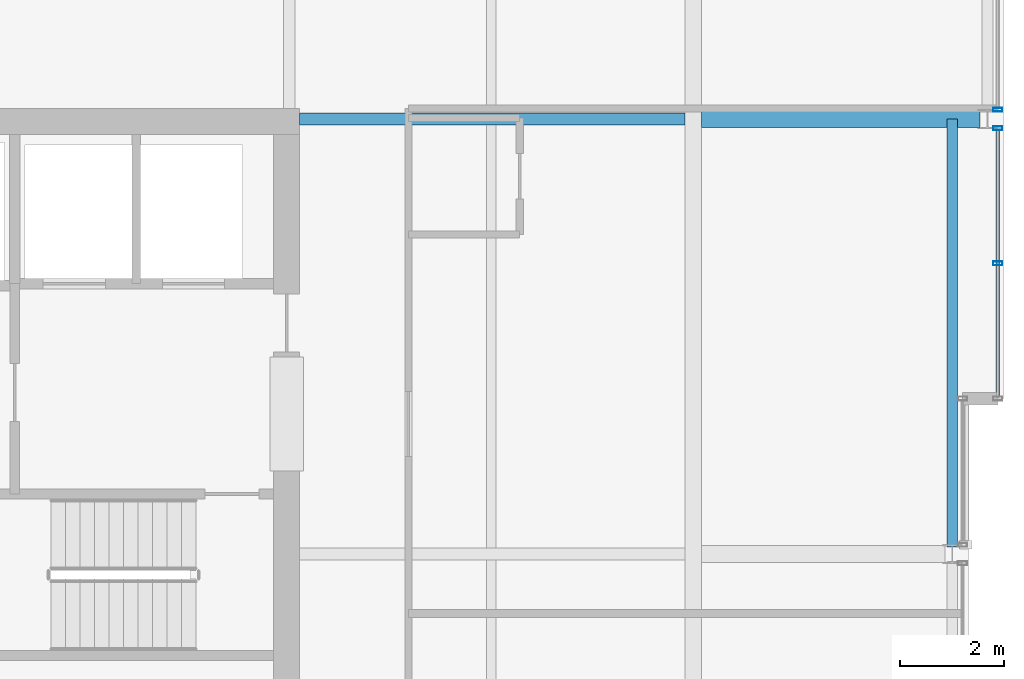
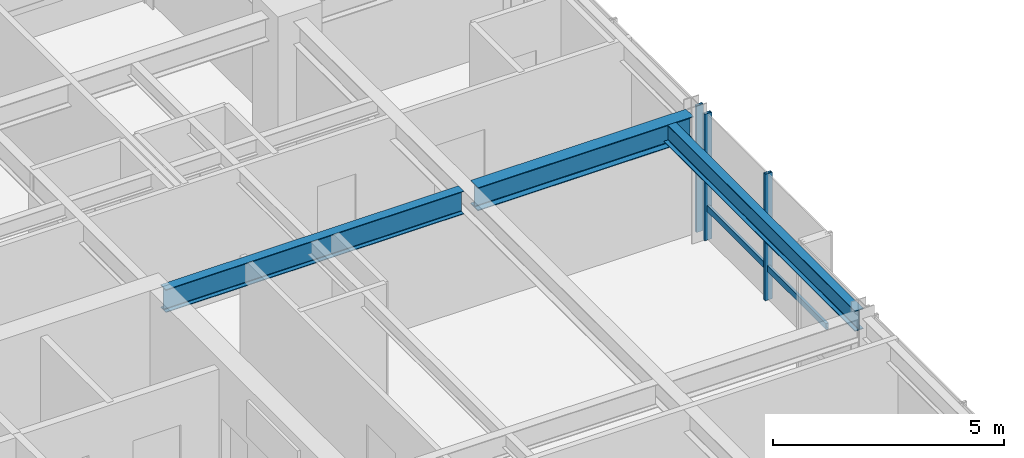
# One storey, part 22 of 32: 4 members, 3 beams, 2 elements without a shape of their own.
"""IFC4 building model written with IfcOpenShell, lengths in metres."""

from ifc_helpers import new_model, si_unit, direction, frame, origin, origin_2d, place, context, subcontext, project, spatial, hollow_rectangle, i_section, extrude, material, layer, layer_set, material_profile, profile_set, type_object, element, aggregate, save


model = new_model("IFC4")

# Units and contexts
model_context = context("Model", 3, precision=1e-05, world=origin(), true_north=direction((0.0, 1.0)))
body_context = subcontext(model_context, "Body", "Model", "MODEL_VIEW")
ifc_project = project(units=[si_unit("LENGTHUNIT", "METRE"), si_unit("AREAUNIT", "SQUARE_METRE"), si_unit("VOLUMEUNIT", "CUBIC_METRE"), si_unit("PLANEANGLEUNIT", "RADIAN"), si_unit("MASSUNIT", "GRAM", prefix="KILO")], contexts=[model_context])

# Site, building, storey
site_placement = place(None, origin())
site = spatial("IfcSite", under=ifc_project, at=site_placement, CompositionType="ELEMENT")
building_placement = place(site_placement, origin())
building = spatial("IfcBuilding", under=site, at=building_placement, Name="Drelvath Grand Hotel", CompositionType="ELEMENT")
storey_placement = place(building_placement, frame((0.0, 0.0, 241.10009765625)))
storey = spatial("IfcBuildingStorey", under=building, at=storey_placement, Name="L63", CompositionType="ELEMENT", Elevation=241.10009765625)

# Curtain wall, members
ifc_material_1 = material(Name="Platinum-Mist Anodised Aluminium Frame", Category="aluminium")
ifc_layer = layer(ifc_material_1, 0.199951171875)
ifc_layer_set = layer_set([ifc_layer], Name="Platinum-Mist Anodised Aluminium Frame")
curtain_wall_type = type_object("IfcCurtainWallType", Name="Stick Curtain Wall CW-05 Platinum Mist High-Rise", PredefinedType="NOTDEFINED", material=ifc_layer_set)
curtain_wall_1_placement = place(storey_placement, origin())
curtain_wall_1 = element("IfcCurtainWall", 1, at=curtain_wall_1_placement, inside=storey, type_object=curtain_wall_type, Name="L63 CW-05 Curtain Wall CW05-L63-EN1", PredefinedType="NOTDEFINED")
ifc_material_profile_1 = material_profile(ifc_material_1, hollow_rectangle(XDim=0.06494140625, YDim=0.159912109375, WallThickness=0.00390625, at=origin_2d()), Name="HSS160X65X4")
ifc_profile_set_1 = profile_set([ifc_material_profile_1], Name="Platinum-Mist Anodised Aluminium Frame")
member_type_1 = type_object("IfcMemberType", Name="Curtain Wall Horizontal Transom CW-05 HSS160X65X4", PredefinedType="USERDEFINED", material=ifc_profile_set_1)
member_1_placement = place(storey_placement, frame((22.080078125, 35.181884765625, 0.8349609375), z_axis=(0.0, -1.0, 0.0), x_axis=(1.0, 0.0, 0.0)))
member_1 = element("IfcMember", 2, at=member_1_placement, type_object=member_type_1, Name="CW05-L63-EN1 Sill Transom", ObjectType="TRANSOM", PredefinedType="USERDEFINED", context=body_context, shape_type="SweptSolid", body=[
    extrude(hollow_rectangle(XDim=0.06494140625, YDim=0.159912109375, WallThickness=0.00390625, at=origin_2d()), origin(), (0.0, 0.0, 1.0), 5.141845703125),
])
ifc_material_profile_2 = material_profile(ifc_material_1, hollow_rectangle(XDim=0.074951171875, YDim=0.179931640625, WallThickness=0.0048828125, at=origin_2d()), Name="HSS180X75X5")
ifc_profile_set_2 = profile_set([ifc_material_profile_2], Name="Platinum-Mist Anodised Aluminium Frame")
member_type_2 = type_object("IfcMemberType", Name="Curtain Wall Vertical Mullion CW-05 HSS180X75X5", PredefinedType="MULLION", material=ifc_profile_set_2)
member_2_placement = place(storey_placement, frame((22.080078125, 35.2216796875, 0.0), z_axis=(0.0, 0.0, 1.0), x_axis=(0.0, 1.0, 0.0)))
member_2 = element("IfcMember", 3, at=member_2_placement, type_object=member_type_2, Name="CW05-L63-EN1 Mullion 1", PredefinedType="MULLION", context=body_context, shape_type="SweptSolid", body=[
    extrude(hollow_rectangle(XDim=0.074951171875, YDim=0.179931640625, WallThickness=0.0048828125, at=origin_2d()), origin(), (0.0, 0.0, 1.0), 3.33984375),
])
member_3_placement = place(storey_placement, frame((22.080078125, 32.61083984375, 0.0), z_axis=(0.0, 0.0, 1.0), x_axis=(0.0, 1.0, 0.0)))
member_3 = element("IfcMember", 4, at=member_3_placement, type_object=member_type_2, Name="CW05-L63-EN1 Mullion 2", PredefinedType="MULLION", context=body_context, shape_type="SweptSolid", body=[
    extrude(hollow_rectangle(XDim=0.074951171875, YDim=0.179931640625, WallThickness=0.0048828125, at=origin_2d()), origin(), (0.0, 0.0, 1.0), 3.33984375),
])
aggregate(curtain_wall_1, [member_2, member_3, member_1])

# Curtain wall, member
curtain_wall_2_placement = place(storey_placement, origin())
curtain_wall_2 = element("IfcCurtainWall", 5, at=curtain_wall_2_placement, inside=storey, type_object=curtain_wall_type, Name="L63 CW-05 Curtain Wall CW05-L63-EN2", PredefinedType="NOTDEFINED")
member_4_placement = place(storey_placement, frame((22.080078125, 35.578125, 0.0), z_axis=(0.0, 0.0, 1.0), x_axis=(0.0, 1.0, 0.0)))
member_4 = element("IfcMember", 6, at=member_4_placement, type_object=member_type_2, Name="CW05-L63-EN2 Mullion 3", PredefinedType="MULLION", context=body_context, shape_type="SweptSolid", body=[
    extrude(hollow_rectangle(XDim=0.074951171875, YDim=0.179931640625, WallThickness=0.0048828125, at=origin_2d()), origin(), (0.0, 0.0, 1.0), 3.33984375),
])
aggregate(curtain_wall_2, [member_4])

# Beams
ifc_material_2 = material(Name="Steel ASTM A992 Gr 50", Category="steel")
ifc_material_profile_3 = material_profile(ifc_material_2, i_section(OverallWidth=0.210205078125, OverallDepth=0.53662109375, WebThickness=0.010986328125, FlangeThickness=0.017333984375, FilletRadius=0.01806640625, at=origin_2d()), Name="W21X68")
ifc_profile_set_3 = profile_set([ifc_material_profile_3], Name="Steel ASTM A992 Gr 50")
beam_type_1 = type_object("IfcBeamType", Name="Perimeter Spandrel Beam W21X68", PredefinedType="SPANDREL", material=ifc_profile_set_3)
beam_1_placement = place(storey_placement, frame((21.199951171875, 27.139892578125, 3.071533203125), z_axis=(0.0, 1.0, 0.0), x_axis=(-1.0, 0.0, 0.0)))
element("IfcBeam", 7, at=beam_1_placement, inside=storey, type_object=beam_type_1, Name="L63 Spandrel East Mid N", PredefinedType="SPANDREL", context=body_context, shape_type="SweptSolid", body=[
    extrude(i_section(OverallWidth=0.210205078125, OverallDepth=0.53662109375, WebThickness=0.010986328125, FlangeThickness=0.017333984375, FilletRadius=0.01806640625, at=origin_2d()), origin(), (0.0, 0.0, 1.0), 8.260009765625),
])
ifc_material_profile_4 = material_profile(ifc_material_2, i_section(OverallWidth=0.323974609375, OverallDepth=0.611083984375, WebThickness=0.0126953125, FlangeThickness=0.01904296875, FilletRadius=0.02197265625, at=origin_2d()), Name="W24X104")
ifc_profile_set_4 = profile_set([ifc_material_profile_4], Name="Steel ASTM A992 Gr 50")
beam_type_2 = type_object("IfcBeamType", Name="Primary Floor Girder W24X104", PredefinedType="BEAM", material=ifc_profile_set_4)
beam_2_placement = place(storey_placement, frame((16.362060546875, 35.39990234375, 3.034423828125), z_axis=(1.0, 0.0, 0.0), x_axis=(0.0, 1.0, 0.0)))
element("IfcBeam", 8, at=beam_2_placement, inside=storey, type_object=beam_type_2, Name="L63 East Wing Girder F", PredefinedType="BEAM", context=body_context, shape_type="SweptSolid", body=[
    extrude(i_section(OverallWidth=0.323974609375, OverallDepth=0.611083984375, WebThickness=0.0126953125, FlangeThickness=0.01904296875, FilletRadius=0.02197265625, at=origin_2d()), origin(), (0.0, 0.0, 1.0), 5.3779296875),
])
ifc_material_profile_5 = material_profile(ifc_material_2, i_section(OverallWidth=0.228271484375, OverallDepth=0.607666015625, WebThickness=0.01123046875, FlangeThickness=0.017333984375, FilletRadius=0.02001953125, at=origin_2d()), Name="W24X76")
ifc_profile_set_5 = profile_set([ifc_material_profile_5], Name="Steel ASTM A992 Gr 50")
beam_type_3 = type_object("IfcBeamType", Name="Primary Floor Girder W24X76", PredefinedType="BEAM", material=ifc_profile_set_5)
beam_3_placement = place(storey_placement, frame((8.60009765625, 35.39990234375, 3.0361328125), z_axis=(1.0, 0.0, 0.0), x_axis=(0.0, 1.0, 0.0)))
element("IfcBeam", 9, at=beam_3_placement, inside=storey, type_object=beam_type_3, Name="L63 East Core Tie F", PredefinedType="BEAM", context=body_context, shape_type="SweptSolid", body=[
    extrude(i_section(OverallWidth=0.228271484375, OverallDepth=0.607666015625, WebThickness=0.01123046875, FlangeThickness=0.017333984375, FilletRadius=0.02001953125, at=origin_2d()), origin(), (0.0, 0.0, 1.0), 7.43798828125),
])

save(model, "model.ifc")
